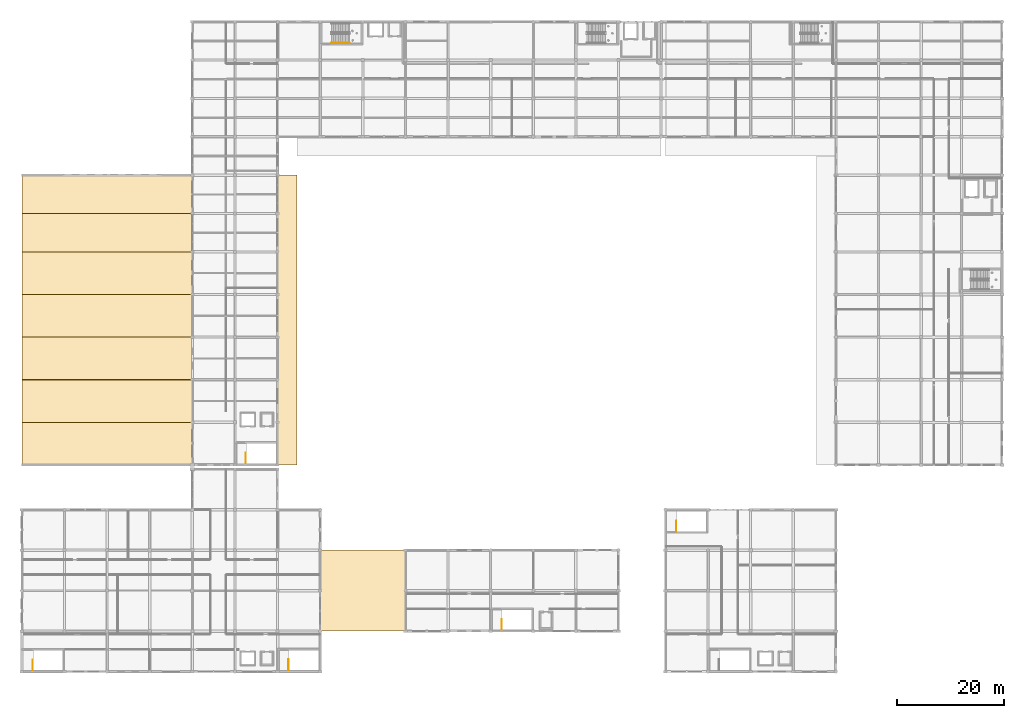
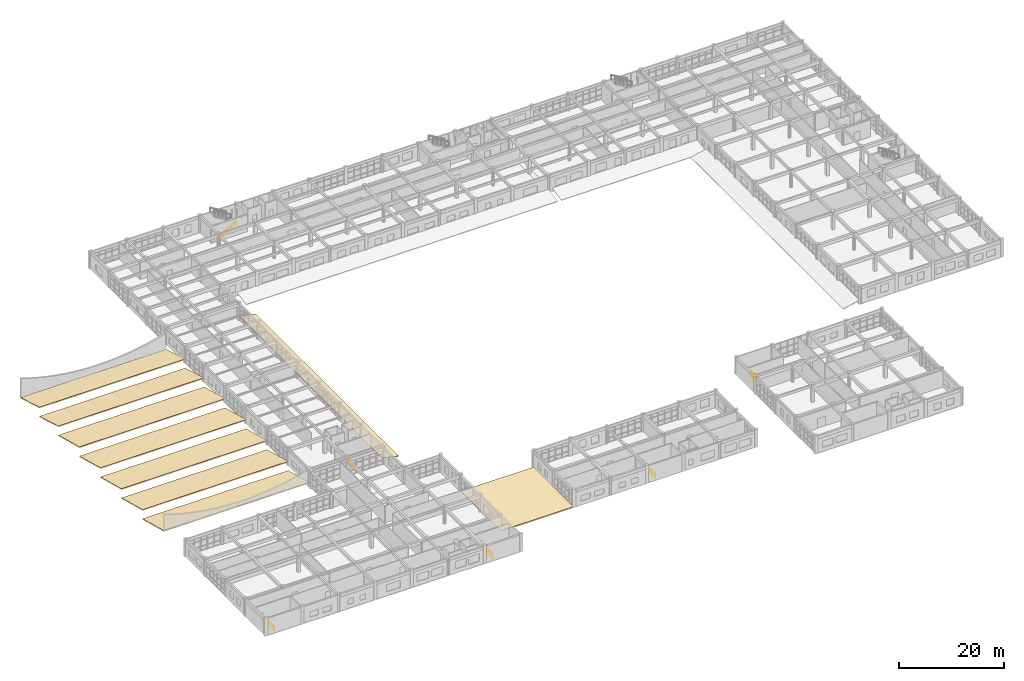
# One storey, part 114 of 121: 9 coverings, 6 railings.
"""IFC4 building model written with IfcOpenShell, lengths in metres."""

from ifc_helpers import new_model, si_unit, direction, frame, origin, origin_2d, place, context, subcontext, project, spatial, polyline, circle, outline, extrude, material, layer, layer_set, type_object, element, save


model = new_model("IFC4")

# Units and contexts
model_context = context("Model", 3, precision=1e-05, world=origin(), true_north=direction((0.0, 1.0)))
body_context = subcontext(model_context, "Body", "Model", "MODEL_VIEW")
ifc_project = project(units=[si_unit("LENGTHUNIT", "METRE"), si_unit("AREAUNIT", "SQUARE_METRE"), si_unit("VOLUMEUNIT", "CUBIC_METRE"), si_unit("PLANEANGLEUNIT", "RADIAN"), si_unit("MASSUNIT", "GRAM", prefix="KILO")], contexts=[model_context])

# Site, building, storey
site_placement = place(None, origin())
site = spatial("IfcSite", under=ifc_project, at=site_placement, CompositionType="ELEMENT")
building_placement = place(site_placement, origin())
building = spatial("IfcBuilding", under=site, at=building_placement, Name="Kharva Crest Polytechnic", CompositionType="ELEMENT")
storey_placement = place(building_placement, frame((0.0, 0.0, 13.199951171875)))
storey = spatial("IfcBuildingStorey", under=building, at=storey_placement, Name="L03", CompositionType="ELEMENT", Elevation=13.199951171875)

# Coverings
ifc_material_1 = material(Name="Anodised aluminium", Category="aluminium")
ifc_layer = layer(ifc_material_1, 0.044921875, Name="Anodised aluminium")
ifc_layer_set = layer_set([ifc_layer], Name="Anodised aluminium")
covering_type = type_object("IfcCoveringType", Name="COV-ROOF-MEMBRANE", PredefinedType="ROOFING", material=ifc_layer_set)
for number, where, z_axis, x_axis, name in (
    (1, (0.0, 38.800048828125, 0.795166015625), (0.0, 0.25390917425, 0.967228065779), (1.0, 0.0, 0.0), "L03 Standing-Seam Roof Covering 1"),
    (2, (0.0, 46.800048828125, 0.795166015625), (0.0, 0.25390917425, 0.967228065779), (1.0, 0.0, 0.0), "L03 Standing-Seam Roof Covering 2"),
    (3, (0.0, 54.800048828125, 0.795166015625), (0.0, 0.25390917425, 0.967228065779), (1.0, 0.0, 0.0), "L03 Standing-Seam Roof Covering 3"),
    (4, (0.0, 62.800048828125, 0.795166015625), (0.0, 0.25390917425, 0.967228065779), (1.0, 0.0, 0.0), "L03 Standing-Seam Roof Covering 4"),
    (5, (0.0, 70.800048828125, 0.795166015625), (0.0, 0.25390917425, 0.967228065779), (1.0, 0.0, 0.0), "L03 Standing-Seam Roof Covering 5"),
):
    element("IfcCovering", number, at=place(storey_placement, frame(where, z_axis=z_axis, x_axis=x_axis)), inside=storey, type_object=covering_type, Name=name, PredefinedType="ROOFING", context=body_context, shape_type="SweptSolid", body=[
        extrude(outline(polyline([(0.0, 0.0), (32.0, 0.0), (32.0, 8.271058587979338), (0.0, 8.271058587979338), (0.0, 0.0)])), origin(), (0.0, 0.0, -1.0), 0.044921875),
    ])
for number, where, z_axis, x_axis, name in (
    (6, (0.0, 78.800048828125, 0.795166015625), (0.0, 0.280013750007, 0.959995989474), (1.0, 0.0, 0.0), "L03 Standing-Seam Roof Covering 6"),
    (7, (0.0, 86.0, 0.795166015625), (0.0, 0.280013750007, 0.959995989474), (1.0, 0.0, 0.0), "L03 Standing-Seam Roof Covering 7"),
):
    element("IfcCovering", number, at=place(storey_placement, frame(where, z_axis=z_axis, x_axis=x_axis)), inside=storey, type_object=covering_type, Name=name, PredefinedType="ROOFING", context=body_context, shape_type="SweptSolid", body=[
        extrude(outline(polyline([(0.0, 0.0), (32.0, 0.0), (32.0, 7.499980469519301), (0.0, 7.499980469519301), (0.0, 0.0)])), origin(), (0.0, 0.0, -1.0), 0.044921875),
    ])
covering_1_placement = place(storey_placement, origin())
element("IfcCovering", 8, at=covering_1_placement, inside=storey, type_object=covering_type, Name="L03 Standing-Seam Roof Covering 16", PredefinedType="ROOFING", context=body_context, shape_type="SweptSolid", body=[
    extrude(outline(polyline([(56.0, 7.60009765625), (72.0, 7.60009765625), (72.0, 22.800048828125), (56.0, 22.800048828125), (56.0, 7.60009765625)])), origin(), (0.0, 0.0, 1.0), 0.045166015625),
])
covering_2_placement = place(storey_placement, frame((48.0, 38.800048828125, 0.804931640625), z_axis=(0.206492002783, 0.0, 0.978448288254), x_axis=(0.978448288254, 0.0, -0.206492002783)))
element("IfcCovering", 9, at=covering_2_placement, inside=storey, type_object=covering_type, Name="L03 Standing-Seam Roof Covering 22", PredefinedType="ROOFING", context=body_context, shape_type="SweptSolid", body=[
    extrude(outline(polyline([(0.0, 0.0), (3.679394914856026, 0.0), (3.679394914856026, 54.39990234375), (0.0, 54.39990234375), (0.0, 0.0)])), origin(), (0.0, 0.0, -1.0), 0.044921875),
])

# Railings
railing_type_1 = type_object("IfcRailingType", Name="RL-STAIR-GUARD-1200", PredefinedType="GUARDRAIL", material=ifc_material_1)
for number, where, name in (
    (10, (50.0400390625, 0.300048828125, 0.0), "L03 ST-01 top well guard 1"),
    (11, (42.0400390625, 39.10009765625, 0.0), "L03 ST-02 top well guard 1"),
):
    element("IfcRailing", number, at=place(storey_placement, frame(where)), inside=storey, type_object=railing_type_1, Name=name, PredefinedType="GUARDRAIL", context=body_context, shape_type="SweptSolid", body=[
        extrude(circle(Radius=0.02392578125, at=origin_2d()), frame((0.0, 0.0, 1.17578125), z_axis=(0.0, 1.0, 0.0), x_axis=(-1.0, 0.0, 0.0)), (0.0, 0.0, 1.0), 1.97998046875),
        extrude(circle(Radius=0.02099609375, at=origin_2d()), origin(), (0.0, 0.0, 1.0), 1.15185546875),
        extrude(circle(Radius=0.02099609375, at=origin_2d()), frame((0.0, 0.989990234375, 0.0)), (0.0, 0.0, 1.0), 1.15185546875),
        extrude(circle(Radius=0.02099609375, at=origin_2d()), frame((0.0, 1.97998046875, 0.0)), (0.0, 0.0, 1.0), 1.15185546875),
    ])
railing_1_placement = place(storey_placement, frame((122.85009765625, 26.2900390625, 0.0)))
element("IfcRailing", 12, at=railing_1_placement, inside=storey, type_object=railing_type_1, Name="L03 ST-07 top well guard 1", PredefinedType="GUARDRAIL", context=body_context, shape_type="SweptSolid", body=[
    extrude(circle(Radius=0.02392578125, at=origin_2d()), frame((0.0, 0.0, 1.17578125), z_axis=(0.0, 1.0, 0.0), x_axis=(-1.0, 0.0, 0.0)), (0.0, 0.0, 1.0), 1.969970703125),
    extrude(circle(Radius=0.02099609375, at=origin_2d()), origin(), (0.0, 0.0, 1.0), 1.15185546875),
    extrude(circle(Radius=0.02099609375, at=origin_2d()), frame((0.0, 0.98486328125, 0.0)), (0.0, 0.0, 1.0), 1.15185546875),
    extrude(circle(Radius=0.02099609375, at=origin_2d()), frame((0.0, 1.969970703125, 0.0)), (0.0, 0.0, 1.0), 1.15185546875),
])
railing_2_placement = place(storey_placement, frame((90.070068359375, 7.89990234375, 0.0)))
element("IfcRailing", 13, at=railing_2_placement, inside=storey, type_object=railing_type_1, Name="L03 ST-08 top well guard 1", PredefinedType="GUARDRAIL", context=body_context, shape_type="SweptSolid", body=[
    extrude(circle(Radius=0.02392578125, at=origin_2d()), frame((0.0, 0.0, 1.17578125), z_axis=(0.0, 1.0, 0.0), x_axis=(-1.0, 0.0, 0.0)), (0.0, 0.0, 1.0), 1.9501953125),
    extrude(circle(Radius=0.02099609375, at=origin_2d()), origin(), (0.0, 0.0, 1.0), 1.15185546875),
    extrude(circle(Radius=0.02099609375, at=origin_2d()), frame((0.0, 0.97509765625, 0.0)), (0.0, 0.0, 1.0), 1.15185546875),
    extrude(circle(Radius=0.02099609375, at=origin_2d()), frame((0.0, 1.9501953125, 0.0)), (0.0, 0.0, 1.0), 1.15185546875),
])
railing_3_placement = place(storey_placement, frame((2.06005859375, 0.300048828125, 0.0)))
element("IfcRailing", 14, at=railing_3_placement, inside=storey, type_object=railing_type_1, Name="L03 ST-10 top well guard 1", PredefinedType="GUARDRAIL", context=body_context, shape_type="SweptSolid", body=[
    extrude(circle(Radius=0.02392578125, at=origin_2d()), frame((0.0, 0.0, 1.17578125), z_axis=(0.0, 1.0, 0.0), x_axis=(-1.0, 0.0, 0.0)), (0.0, 0.0, 1.0), 1.9599609375),
    extrude(circle(Radius=0.02099609375, at=origin_2d()), origin(), (0.0, 0.0, 1.0), 1.15185546875),
    extrude(circle(Radius=0.02099609375, at=origin_2d()), frame((0.0, 0.97998046875, 0.0)), (0.0, 0.0, 1.0), 1.15185546875),
    extrude(circle(Radius=0.02099609375, at=origin_2d()), frame((0.0, 1.9599609375, 0.0)), (0.0, 0.0, 1.0), 1.15185546875),
])
ifc_material_2 = material(Name="Teak timber", Category="wood")
railing_type_2 = type_object("IfcRailingType", Name="RL-STAIR-HAND-900", PredefinedType="HANDRAIL", material=ifc_material_2)
railing_4_placement = place(storey_placement, frame((58.090087890625, 117.989990234375, 0.150146484375)))
element("IfcRailing", 15, at=railing_4_placement, inside=storey, type_object=railing_type_2, Name="L03 ST-03 stair handrail 1", PredefinedType="HANDRAIL", context=body_context, shape_type="SweptSolid", body=[
    extrude(circle(Radius=0.02392578125, at=origin_2d()), frame((0.0, 0.0, 0.8759765625), z_axis=(0.870251367514, 0.0, 0.492607914411), x_axis=(0.0, 1.0, 0.0)), (0.0, 0.0, 1.0), 3.95849609375),
    extrude(circle(Radius=0.02099609375, at=origin_2d()), origin(), (0.0, 0.0, 1.0), 0.851806640625),
    extrude(circle(Radius=0.02099609375, at=origin_2d()), frame((0.861328125, 0.0, 0.487548828125)), (0.0, 0.0, 1.0), 0.851806640625),
    extrude(circle(Radius=0.02099609375, at=origin_2d()), frame((1.722412109375, 0.0, 0.97509765625)), (0.0, 0.0, 1.0), 0.851806640625),
    extrude(circle(Radius=0.02099609375, at=origin_2d()), frame((2.58349609375, 0.0, 1.46240234375)), (0.0, 0.0, 1.0), 0.851806640625),
    extrude(circle(Radius=0.02099609375, at=origin_2d()), frame((3.44482421875, 0.0, 1.949951171875)), (0.0, 0.0, 1.0), 0.851806640625),
])

save(model, "model.ifc")
